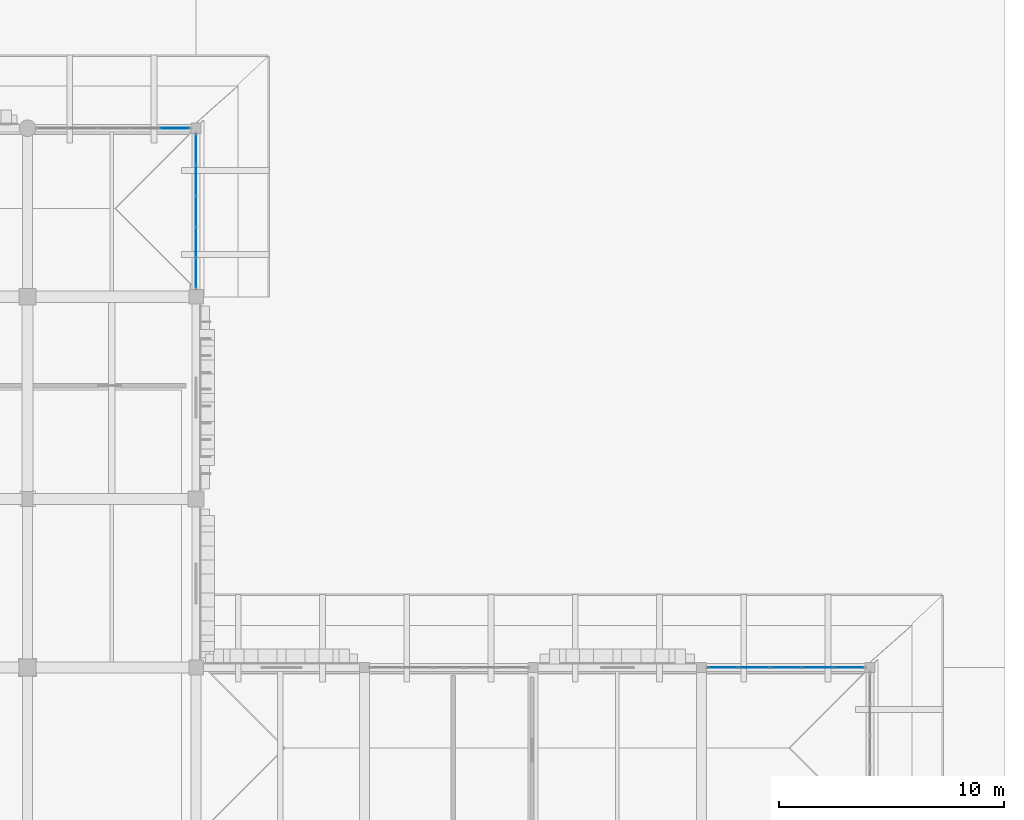
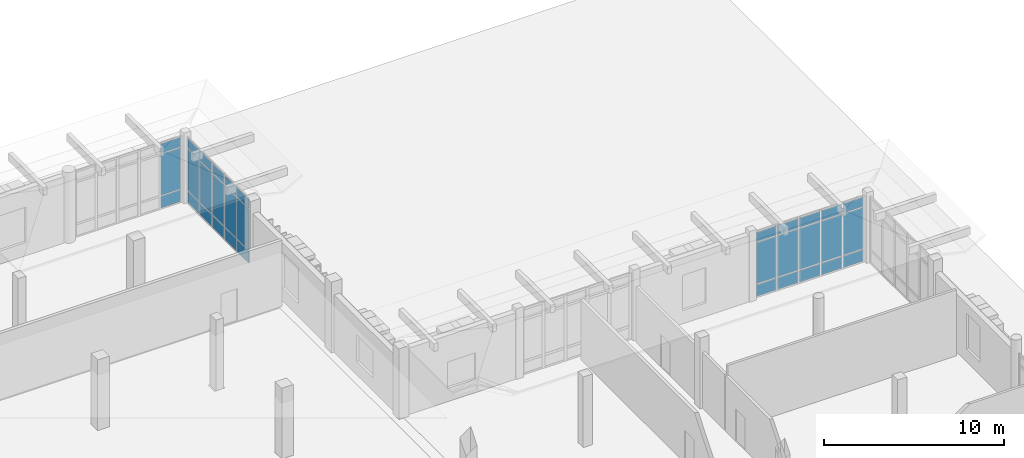
# One storey, part 86 of 125: 33 plates, 3 elements without a shape of their own.
"""IFC4 building model written with IfcOpenShell, lengths in metres."""

from ifc_helpers import new_model, si_unit, direction, frame, origin, origin_2d, place, context, subcontext, project, spatial, rectangle, extrude, material, layer, layer_set, type_object, element, aggregate, save


model = new_model("IFC4")

# Units and contexts
model_context = context("Model", 3, precision=1e-05, world=origin(), true_north=direction((0.0, 1.0)))
body_context = subcontext(model_context, "Body", "Model", "MODEL_VIEW")
ifc_project = project(units=[si_unit("LENGTHUNIT", "METRE"), si_unit("AREAUNIT", "SQUARE_METRE"), si_unit("VOLUMEUNIT", "CUBIC_METRE"), si_unit("PLANEANGLEUNIT", "RADIAN"), si_unit("MASSUNIT", "GRAM", prefix="KILO")], contexts=[model_context])

# Site, building, storey
site_placement = place(None, origin())
site = spatial("IfcSite", under=ifc_project, at=site_placement, CompositionType="ELEMENT")
building_placement = place(site_placement, origin())
building = spatial("IfcBuilding", under=site, at=building_placement, Name="Dalvernix Boulevard General Hospital", CompositionType="ELEMENT")
storey_placement = place(building_placement, origin())
storey = spatial("IfcBuildingStorey", under=building, at=storey_placement, Name="L00", CompositionType="ELEMENT", Elevation=0.0)

# Curtain wall, plates
ifc_material_1 = material(Name="Thermally broken aluminium and solar-control glass curtain wall", Category="aluminium")
ifc_layer_1 = layer(ifc_material_1, 0.159912109375)
ifc_layer_set_1 = layer_set([ifc_layer_1], Name="Thermally broken aluminium and solar-control glass curtain wall (CW-CW-A-69x45)")
curtain_wall_type_1 = type_object("IfcCurtainWallType", Name="CW-CW-A-69x45", PredefinedType="USERDEFINED", material=ifc_layer_set_1)
curtain_wall_1_placement = place(storey_placement, origin())
curtain_wall_1 = element("IfcCurtainWall", 1, at=curtain_wall_1_placement, inside=storey, type_object=curtain_wall_type_1, Name="L00 curtain wall CW-A-69x45 18-15", ObjectType="GLAZED FACADE", PredefinedType="USERDEFINED")
ifc_material_2 = material(Name="Double-glazed solar-control low-emissivity glass", Category="glass")
ifc_layer_2 = layer(ifc_material_2, 0.02392578125)
ifc_layer_set_2 = layer_set([ifc_layer_2], Name="Double-glazed solar-control low-emissivity glass (PLT-CW-P1)")
plate_type_1 = type_object("IfcPlateType", Name="PLT-CW-P1", PredefinedType="CURTAIN_PANEL", material=ifc_layer_set_2)
plate_1_placement = place(storey_placement, frame((141.56201171875, 117.0, 0.06005859375), z_axis=(0.0, 0.0, 1.0), x_axis=(1.0, 0.0, 0.0)))
plate_1 = element("IfcPlate", 2, at=plate_1_placement, type_object=plate_type_1, Name="CW-A-69x45 panel 5.1", PredefinedType="CURTAIN_PANEL", context=body_context, shape_type="SweptSolid", body=[
    extrude(rectangle(XDim=1.285888671875, YDim=0.02392578125, at=origin_2d()), origin(), (0.0, 0.0, 1.0), 0.81005859375),
])
plate_2_placement = place(storey_placement, frame((141.56201171875, 117.0, 0.929931640625), z_axis=(0.0, 0.0, 1.0), x_axis=(1.0, 0.0, 0.0)))
plate_2 = element("IfcPlate", 3, at=plate_2_placement, type_object=plate_type_1, Name="CW-A-69x45 panel 5.2", PredefinedType="CURTAIN_PANEL", context=body_context, shape_type="SweptSolid", body=[
    extrude(rectangle(XDim=1.285888671875, YDim=0.02392578125, at=origin_2d()), origin(), (0.0, 0.0, 1.0), 2.7900390625),
])
plate_3_placement = place(storey_placement, frame((141.56201171875, 117.0, 3.7802734375), z_axis=(0.0, 0.0, 1.0), x_axis=(1.0, 0.0, 0.0)))
plate_3 = element("IfcPlate", 4, at=plate_3_placement, type_object=plate_type_1, Name="CW-A-69x45 panel 5.3", PredefinedType="CURTAIN_PANEL", context=body_context, shape_type="SweptSolid", body=[
    extrude(rectangle(XDim=1.285888671875, YDim=0.02392578125, at=origin_2d()), origin(), (0.0, 0.0, 1.0), 0.659912109375),
])
aggregate(curtain_wall_1, [plate_1, plate_2, plate_3])

curtain_wall_2_placement = place(storey_placement, origin())
curtain_wall_2 = element("IfcCurtainWall", 5, at=curtain_wall_2_placement, inside=storey, type_object=curtain_wall_type_1, Name="L00 curtain wall CW-A-69x45 19-14", ObjectType="GLAZED FACADE", PredefinedType="USERDEFINED")
plate_4_placement = place(storey_placement, frame((142.5, 116.056884765625, 0.06005859375), z_axis=(0.0, 0.0, 1.0), x_axis=(0.0, -1.0, 0.0)))
plate_4 = element("IfcPlate", 6, at=plate_4_placement, type_object=plate_type_1, Name="CW-A-69x45 panel 1.1", PredefinedType="CURTAIN_PANEL", context=body_context, shape_type="SweptSolid", body=[
    extrude(rectangle(XDim=1.2958984375, YDim=0.02392578125, at=origin_2d()), origin(), (0.0, 0.0, 1.0), 0.81005859375),
])
plate_5_placement = place(storey_placement, frame((142.5, 116.056884765625, 0.929931640625), z_axis=(0.0, 0.0, 1.0), x_axis=(0.0, -1.0, 0.0)))
plate_5 = element("IfcPlate", 7, at=plate_5_placement, type_object=plate_type_1, Name="CW-A-69x45 panel 1.2", PredefinedType="CURTAIN_PANEL", context=body_context, shape_type="SweptSolid", body=[
    extrude(rectangle(XDim=1.2958984375, YDim=0.02392578125, at=origin_2d()), origin(), (0.0, 0.0, 1.0), 2.7900390625),
])
plate_6_placement = place(storey_placement, frame((142.5, 116.056884765625, 3.7802734375), z_axis=(0.0, 0.0, 1.0), x_axis=(0.0, -1.0, 0.0)))
plate_6 = element("IfcPlate", 8, at=plate_6_placement, type_object=plate_type_1, Name="CW-A-69x45 panel 1.3", PredefinedType="CURTAIN_PANEL", context=body_context, shape_type="SweptSolid", body=[
    extrude(rectangle(XDim=1.2958984375, YDim=0.02392578125, at=origin_2d()), origin(), (0.0, 0.0, 1.0), 0.659912109375),
])
plate_7_placement = place(storey_placement, frame((142.5, 114.68603515625, 0.06005859375), z_axis=(0.0, 0.0, 1.0), x_axis=(0.0, -1.0, 0.0)))
plate_7 = element("IfcPlate", 9, at=plate_7_placement, type_object=plate_type_1, Name="CW-A-69x45 panel 2.1", PredefinedType="CURTAIN_PANEL", context=body_context, shape_type="SweptSolid", body=[
    extrude(rectangle(XDim=1.325927734375, YDim=0.02392578125, at=origin_2d()), origin(), (0.0, 0.0, 1.0), 0.81005859375),
])
plate_8_placement = place(storey_placement, frame((142.5, 114.68603515625, 0.929931640625), z_axis=(0.0, 0.0, 1.0), x_axis=(0.0, -1.0, 0.0)))
plate_8 = element("IfcPlate", 10, at=plate_8_placement, type_object=plate_type_1, Name="CW-A-69x45 panel 2.2", PredefinedType="CURTAIN_PANEL", context=body_context, shape_type="SweptSolid", body=[
    extrude(rectangle(XDim=1.325927734375, YDim=0.02392578125, at=origin_2d()), origin(), (0.0, 0.0, 1.0), 2.7900390625),
])
plate_9_placement = place(storey_placement, frame((142.5, 114.68603515625, 3.7802734375), z_axis=(0.0, 0.0, 1.0), x_axis=(0.0, -1.0, 0.0)))
plate_9 = element("IfcPlate", 11, at=plate_9_placement, type_object=plate_type_1, Name="CW-A-69x45 panel 2.3", PredefinedType="CURTAIN_PANEL", context=body_context, shape_type="SweptSolid", body=[
    extrude(rectangle(XDim=1.325927734375, YDim=0.02392578125, at=origin_2d()), origin(), (0.0, 0.0, 1.0), 0.659912109375),
])
plate_10_placement = place(storey_placement, frame((142.5, 113.300048828125, 0.06005859375), z_axis=(0.0, 0.0, 1.0), x_axis=(0.0, -1.0, 0.0)))
plate_10 = element("IfcPlate", 12, at=plate_10_placement, type_object=plate_type_1, Name="CW-A-69x45 panel 3.1", PredefinedType="CURTAIN_PANEL", context=body_context, shape_type="SweptSolid", body=[
    extrude(rectangle(XDim=1.325927734375, YDim=0.02392578125, at=origin_2d()), origin(), (0.0, 0.0, 1.0), 0.81005859375),
])
plate_11_placement = place(storey_placement, frame((142.5, 113.300048828125, 0.929931640625), z_axis=(0.0, 0.0, 1.0), x_axis=(0.0, -1.0, 0.0)))
plate_11 = element("IfcPlate", 13, at=plate_11_placement, type_object=plate_type_1, Name="CW-A-69x45 panel 3.2", PredefinedType="CURTAIN_PANEL", context=body_context, shape_type="SweptSolid", body=[
    extrude(rectangle(XDim=1.325927734375, YDim=0.02392578125, at=origin_2d()), origin(), (0.0, 0.0, 1.0), 2.7900390625),
])
plate_12_placement = place(storey_placement, frame((142.5, 113.300048828125, 3.7802734375), z_axis=(0.0, 0.0, 1.0), x_axis=(0.0, -1.0, 0.0)))
plate_12 = element("IfcPlate", 14, at=plate_12_placement, type_object=plate_type_1, Name="CW-A-69x45 panel 3.3", PredefinedType="CURTAIN_PANEL", context=body_context, shape_type="SweptSolid", body=[
    extrude(rectangle(XDim=1.325927734375, YDim=0.02392578125, at=origin_2d()), origin(), (0.0, 0.0, 1.0), 0.659912109375),
])
plate_13_placement = place(storey_placement, frame((142.5, 111.9140625, 0.06005859375), z_axis=(0.0, 0.0, 1.0), x_axis=(0.0, -1.0, 0.0)))
plate_13 = element("IfcPlate", 15, at=plate_13_placement, type_object=plate_type_1, Name="CW-A-69x45 panel 4.1", PredefinedType="CURTAIN_PANEL", context=body_context, shape_type="SweptSolid", body=[
    extrude(rectangle(XDim=1.325927734375, YDim=0.02392578125, at=origin_2d()), origin(), (0.0, 0.0, 1.0), 0.81005859375),
])
plate_14_placement = place(storey_placement, frame((142.5, 111.9140625, 0.929931640625), z_axis=(0.0, 0.0, 1.0), x_axis=(0.0, -1.0, 0.0)))
plate_14 = element("IfcPlate", 16, at=plate_14_placement, type_object=plate_type_1, Name="CW-A-69x45 panel 4.2", PredefinedType="CURTAIN_PANEL", context=body_context, shape_type="SweptSolid", body=[
    extrude(rectangle(XDim=1.325927734375, YDim=0.02392578125, at=origin_2d()), origin(), (0.0, 0.0, 1.0), 2.7900390625),
])
plate_15_placement = place(storey_placement, frame((142.5, 111.9140625, 3.7802734375), z_axis=(0.0, 0.0, 1.0), x_axis=(0.0, -1.0, 0.0)))
plate_15 = element("IfcPlate", 17, at=plate_15_placement, type_object=plate_type_1, Name="CW-A-69x45 panel 4.3", PredefinedType="CURTAIN_PANEL", context=body_context, shape_type="SweptSolid", body=[
    extrude(rectangle(XDim=1.325927734375, YDim=0.02392578125, at=origin_2d()), origin(), (0.0, 0.0, 1.0), 0.659912109375),
])
plate_16_placement = place(storey_placement, frame((142.5, 110.54296875, 0.06005859375), z_axis=(0.0, 0.0, 1.0), x_axis=(0.0, -1.0, 0.0)))
plate_16 = element("IfcPlate", 18, at=plate_16_placement, type_object=plate_type_1, Name="CW-A-69x45 panel 5.1", PredefinedType="CURTAIN_PANEL", context=body_context, shape_type="SweptSolid", body=[
    extrude(rectangle(XDim=1.2958984375, YDim=0.02392578125, at=origin_2d()), origin(), (0.0, 0.0, 1.0), 0.81005859375),
])
plate_17_placement = place(storey_placement, frame((142.5, 110.54296875, 0.929931640625), z_axis=(0.0, 0.0, 1.0), x_axis=(0.0, -1.0, 0.0)))
plate_17 = element("IfcPlate", 19, at=plate_17_placement, type_object=plate_type_1, Name="CW-A-69x45 panel 5.2", PredefinedType="CURTAIN_PANEL", context=body_context, shape_type="SweptSolid", body=[
    extrude(rectangle(XDim=1.2958984375, YDim=0.02392578125, at=origin_2d()), origin(), (0.0, 0.0, 1.0), 2.7900390625),
])
plate_18_placement = place(storey_placement, frame((142.5, 110.54296875, 3.7802734375), z_axis=(0.0, 0.0, 1.0), x_axis=(0.0, -1.0, 0.0)))
plate_18 = element("IfcPlate", 20, at=plate_18_placement, type_object=plate_type_1, Name="CW-A-69x45 panel 5.3", PredefinedType="CURTAIN_PANEL", context=body_context, shape_type="SweptSolid", body=[
    extrude(rectangle(XDim=1.2958984375, YDim=0.02392578125, at=origin_2d()), origin(), (0.0, 0.0, 1.0), 0.659912109375),
])
aggregate(curtain_wall_2, [plate_4, plate_5, plate_6, plate_7, plate_8, plate_9, plate_10, plate_11, plate_12, plate_13, plate_14, plate_15, plate_16, plate_17, plate_18])

ifc_layer_3 = layer(ifc_material_1, 0.179931640625)
ifc_layer_set_3 = layer_set([ifc_layer_3], Name="Thermally broken aluminium and solar-control glass curtain wall (CW-CW-B-70x45)")
curtain_wall_type_2 = type_object("IfcCurtainWallType", Name="CW-CW-B-70x45", PredefinedType="USERDEFINED", material=ifc_layer_set_3)
curtain_wall_3_placement = place(storey_placement, origin())
curtain_wall_3 = element("IfcCurtainWall", 21, at=curtain_wall_3_placement, inside=storey, type_object=curtain_wall_type_2, Name="L00 curtain wall CW-B-70x45 22-12", ObjectType="GLAZED FACADE", PredefinedType="USERDEFINED")
ifc_layer_4 = layer(ifc_material_2, 0.028076171875)
ifc_layer_set_4 = layer_set([ifc_layer_4], Name="Double-glazed solar-control low-emissivity glass (PLT-CW-P2)")
plate_type_2 = type_object("IfcPlateType", Name="PLT-CW-P2", PredefinedType="CURTAIN_PANEL", material=ifc_layer_set_4)
plate_19_placement = place(storey_placement, frame((165.954345703125, 93.0, 0.06494140625), z_axis=(0.0, 0.0, 1.0), x_axis=(1.0, 0.0, 0.0)))
plate_19 = element("IfcPlate", 22, at=plate_19_placement, type_object=plate_type_2, Name="CW-B-70x45 panel 1.1", PredefinedType="CURTAIN_PANEL", context=body_context, shape_type="SweptSolid", body=[
    extrude(rectangle(XDim=1.30859375, YDim=0.028076171875, at=origin_2d()), origin(), (0.0, 0.0, 1.0), 0.802490234375),
])
plate_20_placement = place(storey_placement, frame((165.954345703125, 93.0, 0.9326171875), z_axis=(0.0, 0.0, 1.0), x_axis=(1.0, 0.0, 0.0)))
plate_20 = element("IfcPlate", 23, at=plate_20_placement, type_object=plate_type_2, Name="CW-B-70x45 panel 1.2", PredefinedType="CURTAIN_PANEL", context=body_context, shape_type="SweptSolid", body=[
    extrude(rectangle(XDim=1.30859375, YDim=0.028076171875, at=origin_2d()), origin(), (0.0, 0.0, 1.0), 2.784912109375),
])
plate_21_placement = place(storey_placement, frame((165.954345703125, 93.0, 3.7822265625), z_axis=(0.0, 0.0, 1.0), x_axis=(1.0, 0.0, 0.0)))
plate_21 = element("IfcPlate", 24, at=plate_21_placement, type_object=plate_type_2, Name="CW-B-70x45 panel 1.3", PredefinedType="CURTAIN_PANEL", context=body_context, shape_type="SweptSolid", body=[
    extrude(rectangle(XDim=1.30859375, YDim=0.028076171875, at=origin_2d()), origin(), (0.0, 0.0, 1.0), 0.652587890625),
])
plate_22_placement = place(storey_placement, frame((167.343994140625, 93.0, 0.06494140625), z_axis=(0.0, 0.0, 1.0), x_axis=(1.0, 0.0, 0.0)))
plate_22 = element("IfcPlate", 25, at=plate_22_placement, type_object=plate_type_2, Name="CW-B-70x45 panel 2.1", PredefinedType="CURTAIN_PANEL", context=body_context, shape_type="SweptSolid", body=[
    extrude(rectangle(XDim=1.341064453125, YDim=0.028076171875, at=origin_2d()), origin(), (0.0, 0.0, 1.0), 0.802490234375),
])
plate_23_placement = place(storey_placement, frame((167.343994140625, 93.0, 0.9326171875), z_axis=(0.0, 0.0, 1.0), x_axis=(1.0, 0.0, 0.0)))
plate_23 = element("IfcPlate", 26, at=plate_23_placement, type_object=plate_type_2, Name="CW-B-70x45 panel 2.2", PredefinedType="CURTAIN_PANEL", context=body_context, shape_type="SweptSolid", body=[
    extrude(rectangle(XDim=1.341064453125, YDim=0.028076171875, at=origin_2d()), origin(), (0.0, 0.0, 1.0), 2.784912109375),
])
plate_24_placement = place(storey_placement, frame((167.343994140625, 93.0, 3.7822265625), z_axis=(0.0, 0.0, 1.0), x_axis=(1.0, 0.0, 0.0)))
plate_24 = element("IfcPlate", 27, at=plate_24_placement, type_object=plate_type_2, Name="CW-B-70x45 panel 2.3", PredefinedType="CURTAIN_PANEL", context=body_context, shape_type="SweptSolid", body=[
    extrude(rectangle(XDim=1.341064453125, YDim=0.028076171875, at=origin_2d()), origin(), (0.0, 0.0, 1.0), 0.652587890625),
])
plate_25_placement = place(storey_placement, frame((168.75, 93.0, 0.06494140625), z_axis=(0.0, 0.0, 1.0), x_axis=(1.0, 0.0, 0.0)))
plate_25 = element("IfcPlate", 28, at=plate_25_placement, type_object=plate_type_2, Name="CW-B-70x45 panel 3.1", PredefinedType="CURTAIN_PANEL", context=body_context, shape_type="SweptSolid", body=[
    extrude(rectangle(XDim=1.341064453125, YDim=0.028076171875, at=origin_2d()), origin(), (0.0, 0.0, 1.0), 0.802490234375),
])
plate_26_placement = place(storey_placement, frame((168.75, 93.0, 0.9326171875), z_axis=(0.0, 0.0, 1.0), x_axis=(1.0, 0.0, 0.0)))
plate_26 = element("IfcPlate", 29, at=plate_26_placement, type_object=plate_type_2, Name="CW-B-70x45 panel 3.2", PredefinedType="CURTAIN_PANEL", context=body_context, shape_type="SweptSolid", body=[
    extrude(rectangle(XDim=1.341064453125, YDim=0.028076171875, at=origin_2d()), origin(), (0.0, 0.0, 1.0), 2.784912109375),
])
plate_27_placement = place(storey_placement, frame((168.75, 93.0, 3.7822265625), z_axis=(0.0, 0.0, 1.0), x_axis=(1.0, 0.0, 0.0)))
plate_27 = element("IfcPlate", 30, at=plate_27_placement, type_object=plate_type_2, Name="CW-B-70x45 panel 3.3", PredefinedType="CURTAIN_PANEL", context=body_context, shape_type="SweptSolid", body=[
    extrude(rectangle(XDim=1.341064453125, YDim=0.028076171875, at=origin_2d()), origin(), (0.0, 0.0, 1.0), 0.652587890625),
])
plate_28_placement = place(storey_placement, frame((170.156005859375, 93.0, 0.06494140625), z_axis=(0.0, 0.0, 1.0), x_axis=(1.0, 0.0, 0.0)))
plate_28 = element("IfcPlate", 31, at=plate_28_placement, type_object=plate_type_2, Name="CW-B-70x45 panel 4.1", PredefinedType="CURTAIN_PANEL", context=body_context, shape_type="SweptSolid", body=[
    extrude(rectangle(XDim=1.341064453125, YDim=0.028076171875, at=origin_2d()), origin(), (0.0, 0.0, 1.0), 0.802490234375),
])
plate_29_placement = place(storey_placement, frame((170.156005859375, 93.0, 0.9326171875), z_axis=(0.0, 0.0, 1.0), x_axis=(1.0, 0.0, 0.0)))
plate_29 = element("IfcPlate", 32, at=plate_29_placement, type_object=plate_type_2, Name="CW-B-70x45 panel 4.2", PredefinedType="CURTAIN_PANEL", context=body_context, shape_type="SweptSolid", body=[
    extrude(rectangle(XDim=1.341064453125, YDim=0.028076171875, at=origin_2d()), origin(), (0.0, 0.0, 1.0), 2.784912109375),
])
plate_30_placement = place(storey_placement, frame((170.156005859375, 93.0, 3.7822265625), z_axis=(0.0, 0.0, 1.0), x_axis=(1.0, 0.0, 0.0)))
plate_30 = element("IfcPlate", 33, at=plate_30_placement, type_object=plate_type_2, Name="CW-B-70x45 panel 4.3", PredefinedType="CURTAIN_PANEL", context=body_context, shape_type="SweptSolid", body=[
    extrude(rectangle(XDim=1.341064453125, YDim=0.028076171875, at=origin_2d()), origin(), (0.0, 0.0, 1.0), 0.652587890625),
])
plate_31_placement = place(storey_placement, frame((171.545654296875, 93.0, 0.06494140625), z_axis=(0.0, 0.0, 1.0), x_axis=(1.0, 0.0, 0.0)))
plate_31 = element("IfcPlate", 34, at=plate_31_placement, type_object=plate_type_2, Name="CW-B-70x45 panel 5.1", PredefinedType="CURTAIN_PANEL", context=body_context, shape_type="SweptSolid", body=[
    extrude(rectangle(XDim=1.30859375, YDim=0.028076171875, at=origin_2d()), origin(), (0.0, 0.0, 1.0), 0.802490234375),
])
plate_32_placement = place(storey_placement, frame((171.545654296875, 93.0, 0.9326171875), z_axis=(0.0, 0.0, 1.0), x_axis=(1.0, 0.0, 0.0)))
plate_32 = element("IfcPlate", 35, at=plate_32_placement, type_object=plate_type_2, Name="CW-B-70x45 panel 5.2", PredefinedType="CURTAIN_PANEL", context=body_context, shape_type="SweptSolid", body=[
    extrude(rectangle(XDim=1.30859375, YDim=0.028076171875, at=origin_2d()), origin(), (0.0, 0.0, 1.0), 2.784912109375),
])
plate_33_placement = place(storey_placement, frame((171.545654296875, 93.0, 3.7822265625), z_axis=(0.0, 0.0, 1.0), x_axis=(1.0, 0.0, 0.0)))
plate_33 = element("IfcPlate", 36, at=plate_33_placement, type_object=plate_type_2, Name="CW-B-70x45 panel 5.3", PredefinedType="CURTAIN_PANEL", context=body_context, shape_type="SweptSolid", body=[
    extrude(rectangle(XDim=1.30859375, YDim=0.028076171875, at=origin_2d()), origin(), (0.0, 0.0, 1.0), 0.652587890625),
])
aggregate(curtain_wall_3, [plate_19, plate_20, plate_21, plate_22, plate_23, plate_24, plate_25, plate_26, plate_27, plate_28, plate_29, plate_30, plate_31, plate_32, plate_33])

save(model, "model.ifc")
